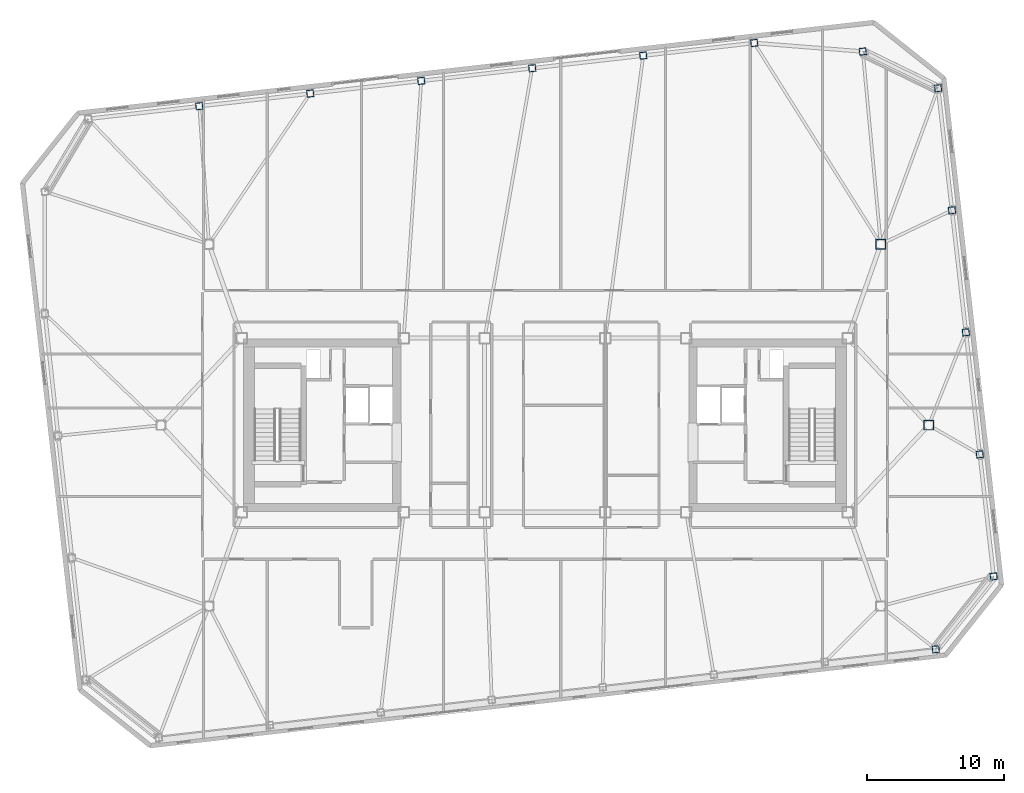
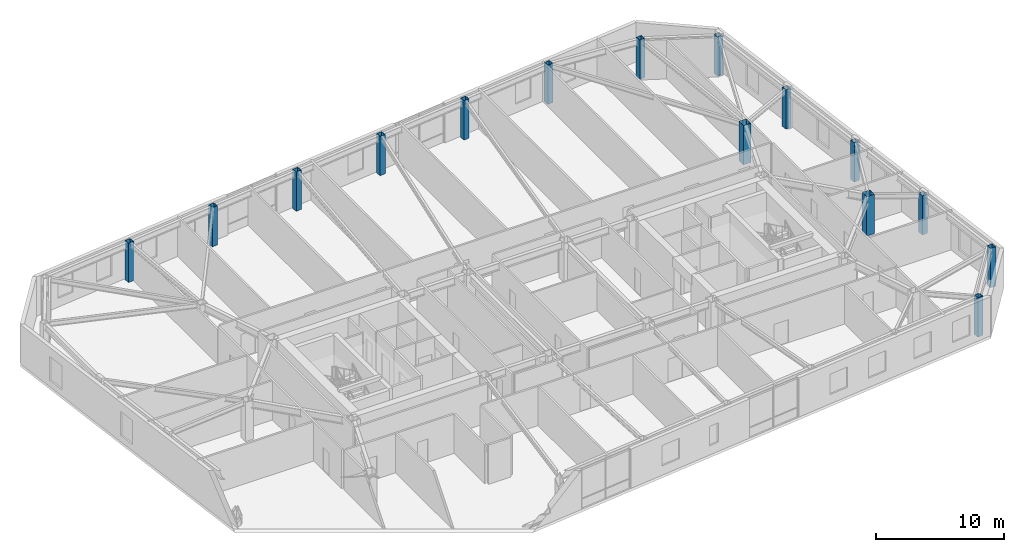
# One storey, part 2 of 19: 15 columns.
"""IFC4 building model written with IfcOpenShell, lengths in metres."""

from ifc_helpers import new_model, si_unit, direction, frame, origin, origin_2d, place, context, subcontext, project, spatial, hollow_rectangle, extrude, material, material_profile, profile_set, type_object, element, save


model = new_model("IFC4")

# Units and contexts
model_context = context("Model", 3, precision=1e-05, world=origin(), true_north=direction((0.0, 1.0)))
body_context = subcontext(model_context, "Body", "Model", "MODEL_VIEW")
ifc_project = project(units=[si_unit("LENGTHUNIT", "METRE"), si_unit("AREAUNIT", "SQUARE_METRE"), si_unit("VOLUMEUNIT", "CUBIC_METRE"), si_unit("PLANEANGLEUNIT", "RADIAN"), si_unit("MASSUNIT", "GRAM", prefix="KILO")], contexts=[model_context])

# Site, building, storey
site_placement = place(None, origin())
site = spatial("IfcSite", under=ifc_project, at=site_placement, CompositionType="ELEMENT")
building_placement = place(site_placement, origin())
building = spatial("IfcBuilding", under=site, at=building_placement, Name="Tavrogorsk Clinical Tower", CompositionType="ELEMENT")
storey_placement = place(building_placement, frame((0.0, 0.0, 255.0)))
storey = spatial("IfcBuildingStorey", under=building, at=storey_placement, Name="L59", CompositionType="ELEMENT", Elevation=255.0)

# Columns
ifc_material_1 = material(Name="Structural steel S440", Category="steel")
ifc_material_profile_1 = material_profile(ifc_material_1, hollow_rectangle(XDim=0.699951171875, YDim=0.699951171875, WallThickness=0.031982421875, at=origin_2d()), Name="BOX-700x700x32")
ifc_profile_set_1 = profile_set([ifc_material_profile_1], Name="Structural steel S440")
column_type_1 = type_object("IfcColumnType", Name="MegaCol_BOX700", PredefinedType="COLUMN", material=ifc_profile_set_1)
for number, where, z_axis, x_axis, name in (
    (1, (24.5, 13.199951171875, 0.0), (0.0, 0.0, 1.0), (1.0, 0.0, 0.0), "L59 Spine Pilotis Column MC-P4"),
    (2, (28.0, 0.0, 0.0), (0.0, 0.0, 1.0), (1.0, 0.0, 0.0), "L59 Spine Pilotis Column MC-P6"),
):
    element("IfcColumn", number, at=place(storey_placement, frame(where, z_axis=z_axis, x_axis=x_axis)), inside=storey, type_object=column_type_1, Name=name, PredefinedType="COLUMN", context=body_context, shape_type="SweptSolid", body=[
        extrude(hollow_rectangle(XDim=0.699951171875, YDim=0.699951171875, WallThickness=0.031982421875, at=origin_2d()), origin(), (0.0, 0.0, 1.0), 3.739990234375),
    ])
ifc_material_2 = material(Name="Structural steel S440", Category="steel")
ifc_material_profile_2 = material_profile(ifc_material_2, hollow_rectangle(XDim=0.5, YDim=0.5, WallThickness=0.02490234375, at=origin_2d()), Name="BOX-500x500x25")
ifc_profile_set_2 = profile_set([ifc_material_profile_2], Name="Structural steel S440")
column_type_2 = type_object("IfcColumnType", Name="PerimCol_B4_BOX500", PredefinedType="COLUMN", material=ifc_profile_set_2)
for number, where, z_axis, x_axis, name in (
    (3, (28.508544921875, -16.345458984375, 0.0), (0.0, 0.0, 1.0), (0.993571855677, 0.113203213768, 0.0), "L59 Perimeter Column S8"),
    (4, (23.188232421875, 27.25341796875, 0.0), (0.0, 0.0, 1.0), (0.993571855677, 0.113203213768, 0.0), "L59 Perimeter Column N1"),
    (5, (15.2685546875, 27.880126953125, 0.0), (0.0, 0.0, 1.0), (0.993571855677, 0.113203213768, 0.0), "L59 Perimeter Column N2"),
    (6, (7.17236328125, 26.95751953125, 0.0), (0.0, 0.0, 1.0), (0.993571855677, 0.113203213768, 0.0), "L59 Perimeter Column N3"),
    (7, (-0.923828125, 26.03515625, 0.0), (0.0, 0.0, 1.0), (0.993571855677, 0.113203213768, 0.0), "L59 Perimeter Column N4"),
    (8, (-9.02001953125, 25.11279296875, 0.0), (0.0, 0.0, 1.0), (0.993571855677, 0.113203213768, 0.0), "L59 Perimeter Column N5"),
    (9, (-17.1162109375, 24.190185546875, 0.0), (0.0, 0.0, 1.0), (0.993571855677, 0.113203213768, 0.0), "L59 Perimeter Column N6"),
    (10, (-25.21240234375, 23.267822265625, 0.0), (0.0, 0.0, 1.0), (0.993571855677, 0.113203213768, 0.0), "L59 Perimeter Column N7"),
    (11, (32.734375, -11.032958984375, 0.0), (0.0, 0.0, 1.0), (0.993571855677, 0.113203213768, 0.0), "L59 Perimeter Column E1"),
    (12, (31.72021484375, -2.130615234375, 0.0), (0.0, 0.0, 1.0), (0.993571855677, 0.113203213768, 0.0), "L59 Perimeter Column E2"),
    (13, (30.705810546875, 6.77197265625, 0.0), (0.0, 0.0, 1.0), (0.993571855677, 0.113203213768, 0.0), "L59 Perimeter Column E3"),
    (14, (29.69140625, 15.67431640625, 0.0), (0.0, 0.0, 1.0), (0.993571855677, 0.113203213768, 0.0), "L59 Perimeter Column E4"),
    (15, (28.67724609375, 24.57666015625, 0.0), (0.0, 0.0, 1.0), (0.993571855677, 0.113203213768, 0.0), "L59 Perimeter Column E5"),
):
    element("IfcColumn", number, at=place(storey_placement, frame(where, z_axis=z_axis, x_axis=x_axis)), inside=storey, type_object=column_type_2, Name=name, PredefinedType="COLUMN", context=body_context, shape_type="SweptSolid", body=[
        extrude(hollow_rectangle(XDim=0.5, YDim=0.5, WallThickness=0.02490234375, at=origin_2d()), origin(), (0.0, 0.0, 1.0), 3.739990234375),
    ])

save(model, "model.ifc")
